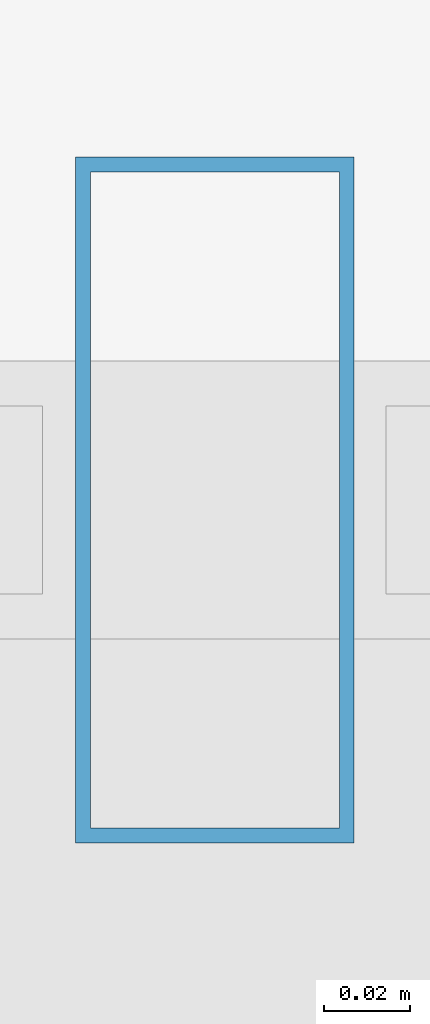
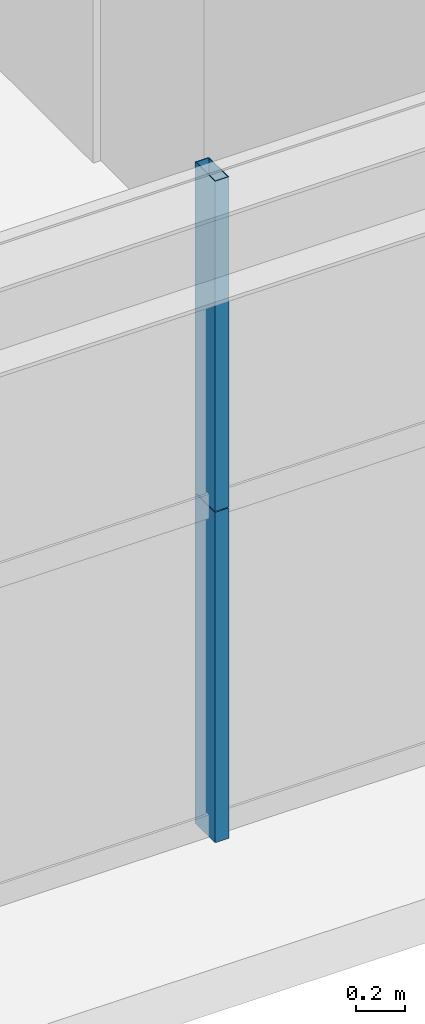
# One storey, part 6 of 38: 2 members, 1 element without a shape of its own.
"""IFC4 building model written with IfcOpenShell, lengths in metres."""

from ifc_helpers import new_model, si_unit, direction, frame, origin, origin_2d, place, context, subcontext, project, spatial, hollow_rectangle, extrude, source, transform, mapped, material, layer, layer_set, material_profile, profile_set, type_object, element, aggregate, save


model = new_model("IFC4")

# Units and contexts
model_context = context("Model", 3, precision=1e-05, world=origin(), true_north=direction((0.0, 1.0)))
body_context = subcontext(model_context, "Body", "Model", "MODEL_VIEW")
ifc_project = project(units=[si_unit("LENGTHUNIT", "METRE"), si_unit("AREAUNIT", "SQUARE_METRE"), si_unit("VOLUMEUNIT", "CUBIC_METRE"), si_unit("PLANEANGLEUNIT", "RADIAN"), si_unit("MASSUNIT", "GRAM", prefix="KILO"), si_unit("THERMODYNAMICTEMPERATUREUNIT", "KELVIN"), si_unit("POWERUNIT", "WATT")], contexts=[model_context])

# Site, building, storey
site_placement = place(None, origin())
site = spatial("IfcSite", under=ifc_project, at=site_placement, CompositionType="ELEMENT")
building_placement = place(site_placement, origin())
building = spatial("IfcBuilding", under=site, at=building_placement, Name="Yuzanri Waterfront Tower", CompositionType="ELEMENT")
storey_placement = place(building_placement, frame((0.0, 0.0, 195.0)))
storey = spatial("IfcBuildingStorey", under=building, at=storey_placement, Name="L51", CompositionType="ELEMENT", Elevation=195.0)

# Curtain wall, members
ifc_material_1 = material(Name="Anodized Architectural Bronze", Category="metal")
ifc_layer = layer(ifc_material_1, 0.159912109375)
ifc_layer_set = layer_set([ifc_layer], Name="Anodized Architectural Bronze")
curtain_wall_type = type_object("IfcCurtainWallType", Name="Anodized Bronze Mid-Rise Residential Acoustic Unitized Curtain Wall 7200", PredefinedType="NOTDEFINED", material=ifc_layer_set)
curtain_wall_placement = place(storey_placement, origin())
curtain_wall = element("IfcCurtainWall", 1, at=curtain_wall_placement, inside=storey, type_object=curtain_wall_type, Name="L51 Curtain Wall CW-L51-SL", PredefinedType="NOTDEFINED")
ifc_material_2 = material(Name="Anodized Architectural Bronze", Category="metal")
ifc_material_profile = material_profile(ifc_material_2, hollow_rectangle(XDim=0.06494140625, YDim=0.159912109375, WallThickness=0.00341796875, at=origin_2d()), Name="CWM 65x160")
ifc_profile_set = profile_set([ifc_material_profile], Name="Anodized Architectural Bronze")
member_type = type_object("IfcMemberType", Name="Anodized Bronze Upper-Zone Curtain-Wall Mullion 65x160", PredefinedType="MULLION", material=ifc_profile_set)
shared_shape = source(origin(), body_context, "Body", "SweptSolid", [
    extrude(hollow_rectangle(XDim=0.06494140625, YDim=0.159912109375, WallThickness=0.00341796875, at=origin_2d()), origin(), (0.0, 0.0, 1.0), 1.637939453125),
])
member_1_placement = place(storey_placement, frame((29.425048828125, 3.85009765625, 0.0), z_axis=(0.0, 0.0, 1.0), x_axis=(1.0, 0.0, 0.0)))
member_1 = element("IfcMember", 2, at=member_1_placement, type_object=member_type, Name="CW-L51-SL Lower Mullion 01", PredefinedType="MULLION", context=body_context, shape_type="MappedRepresentation", body=[
    mapped(shared_shape, transform((0.0, 0.0, 0.0), scale=1.0)),
])
member_2_placement = place(storey_placement, frame((29.425048828125, 3.85009765625, 1.64208984375), z_axis=(0.0, 0.0, 1.0), x_axis=(1.0, 0.0, 0.0)))
member_2 = element("IfcMember", 3, at=member_2_placement, type_object=member_type, Name="CW-L51-SL Upper Mullion 01", PredefinedType="MULLION", context=body_context, shape_type="MappedRepresentation", body=[
    mapped(shared_shape, transform((0.0, 0.0, 0.0), scale=1.0)),
])
aggregate(curtain_wall, [member_1, member_2])

save(model, "model.ifc")
